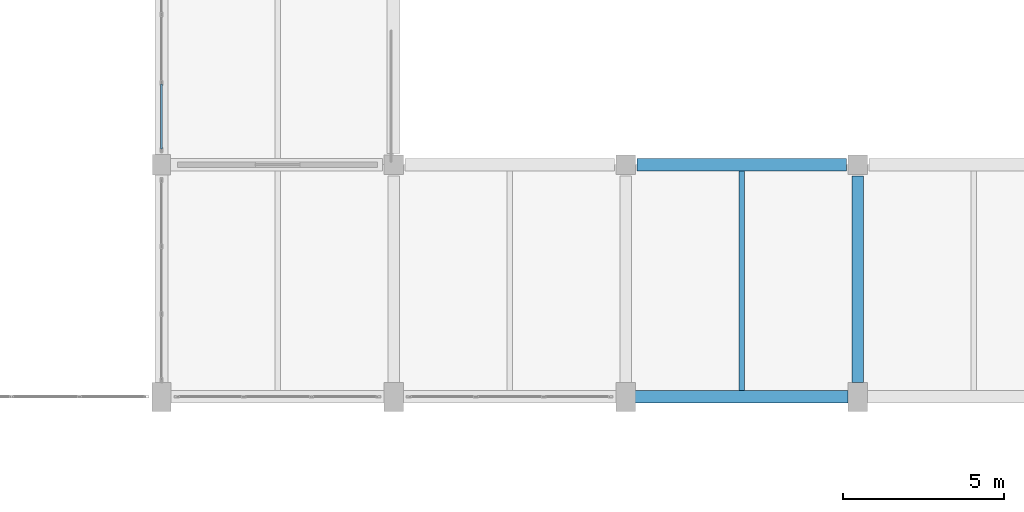
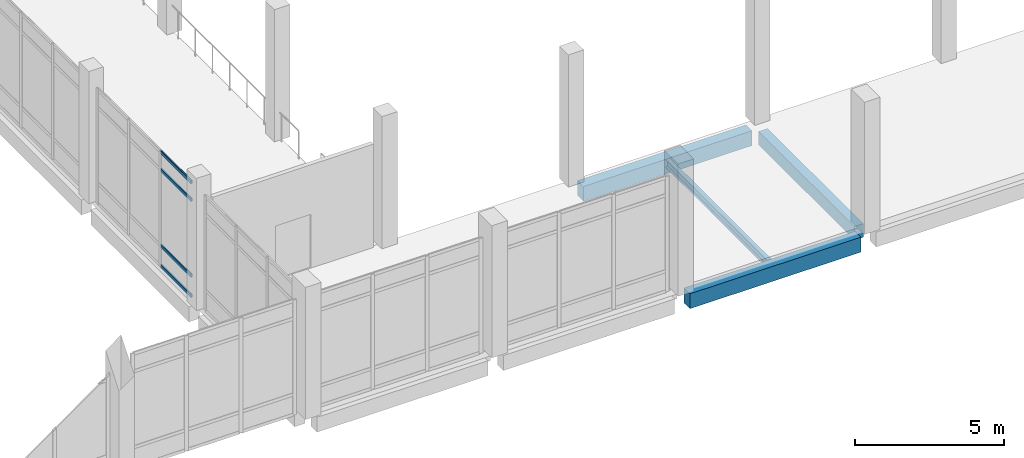
# One storey, part 107 of 180: 4 beams, 4 members, 1 element without a shape of its own.
"""IFC4 building model written with IfcOpenShell, lengths in metres."""

from ifc_helpers import new_model, si_unit, direction, frame, origin, origin_2d, place, context, subcontext, project, spatial, rectangle, hollow_rectangle, i_section, extrude, material, material_profile, profile_set, type_object, element, aggregate, save


model = new_model("IFC4")

# Units and contexts
model_context = context("Model", 3, precision=1e-05, world=origin(), true_north=direction((0.0, 1.0)))
body_context = subcontext(model_context, "Body", "Model", "MODEL_VIEW")
ifc_project = project(units=[si_unit("LENGTHUNIT", "METRE"), si_unit("AREAUNIT", "SQUARE_METRE"), si_unit("VOLUMEUNIT", "CUBIC_METRE"), si_unit("PLANEANGLEUNIT", "RADIAN"), si_unit("MASSUNIT", "GRAM", prefix="KILO")], contexts=[model_context])

# Site, building, storey
site_placement = place(None, origin())
site = spatial("IfcSite", under=ifc_project, at=site_placement, CompositionType="ELEMENT")
building_placement = place(site_placement, origin())
building = spatial("IfcBuilding", under=site, at=building_placement, Name="Lusvemor Sports Hall", CompositionType="ELEMENT")
storey_placement = place(building_placement, frame((0.0, 0.0, 5.39990234375)))
storey = spatial("IfcBuildingStorey", under=building, at=storey_placement, Name="L01", CompositionType="ELEMENT", Elevation=5.39990234375)

# Beam
ifc_material_1 = material(Name="Concrete C40/50", Category="concrete")
ifc_material_profile_1 = material_profile(ifc_material_1, rectangle(XDim=0.35009765625, YDim=0.550048828125, at=origin_2d()), Name="RC350x550")
ifc_profile_set_1 = profile_set([ifc_material_profile_1], Name="Concrete C40/50")
beam_type_1 = type_object("IfcBeamType", Name="BEAM_RC_550", PredefinedType="BEAM", material=ifc_profile_set_1)
beam_1_placement = place(storey_placement, frame((154.800048828125, 40.0458984375, -0.534912109375), z_axis=(0.0, 1.0, 0.0), x_axis=(-1.0, 0.0, 0.0)))
element("IfcBeam", 1, at=beam_1_placement, inside=storey, type_object=beam_type_1, Name="Beam L01 18:E-F", PredefinedType="BEAM", context=body_context, shape_type="SweptSolid", body=[
    extrude(rectangle(XDim=0.35009765625, YDim=0.550048828125, at=origin_2d()), origin(), (0.0, 0.0, 1.0), 6.408203125),
])

# Curtain wall, members
ifc_material_2 = material(Name="Thermally broken bronze-anodized aluminium", Category="aluminium")
curtain_wall_type = type_object("IfcCurtainWallType", Name="CW_CLIMB_D", PredefinedType="NOTDEFINED", material=ifc_material_2)
curtain_wall_placement = place(storey_placement, origin())
curtain_wall = element("IfcCurtainWall", 2, at=curtain_wall_placement, inside=storey, type_object=curtain_wall_type, Name="Curtain Wall CW-V3W-L01-0", PredefinedType="NOTDEFINED")
ifc_material_3 = material(Name="Thermally broken bronze-anodized aluminium", Category="aluminium")
ifc_material_profile_2 = material_profile(ifc_material_3, hollow_rectangle(XDim=0.06005859375, YDim=0.135009765625, WallThickness=0.00390625, InnerFilletRadius=0.00390625, OuterFilletRadius=0.008056640625, at=origin_2d()), Name="CWTRN135x60x4")
ifc_profile_set_2 = profile_set([ifc_material_profile_2], Name="Thermally broken bronze-anodized aluminium")
member_type = type_object("IfcMemberType", Name="CW_TRN_B", PredefinedType="USERDEFINED", material=ifc_profile_set_2)
member_1_placement = place(storey_placement, frame((133.199951171875, 47.284912109375, 0.030029296875), z_axis=(0.0, 1.0, 0.0), x_axis=(-1.0, 0.0, 0.0)))
member_1 = element("IfcMember", 3, at=member_1_placement, type_object=member_type, Name="CW04 transom 1.1", ObjectType="TRANSOM", PredefinedType="USERDEFINED", context=body_context, shape_type="SweptSolid", body=[
    extrude(hollow_rectangle(XDim=0.06005859375, YDim=0.135009765625, WallThickness=0.00390625, InnerFilletRadius=0.00390625, OuterFilletRadius=0.008056640625, at=origin_2d()), origin(), (0.0, 0.0, 1.0), 2.022705078125),
])
member_2_placement = place(storey_placement, frame((133.199951171875, 47.284912109375, 0.85009765625), z_axis=(0.0, 1.0, 0.0), x_axis=(-1.0, 0.0, 0.0)))
member_2 = element("IfcMember", 4, at=member_2_placement, type_object=member_type, Name="CW04 transom 1.2", ObjectType="TRANSOM", PredefinedType="USERDEFINED", context=body_context, shape_type="SweptSolid", body=[
    extrude(hollow_rectangle(XDim=0.06005859375, YDim=0.135009765625, WallThickness=0.00390625, InnerFilletRadius=0.00390625, OuterFilletRadius=0.008056640625, at=origin_2d()), origin(), (0.0, 0.0, 1.0), 2.022705078125),
])
member_3_placement = place(storey_placement, frame((133.199951171875, 47.284912109375, 3.9501953125), z_axis=(0.0, 1.0, 0.0), x_axis=(-1.0, 0.0, 0.0)))
member_3 = element("IfcMember", 5, at=member_3_placement, type_object=member_type, Name="CW04 transom 1.3", ObjectType="TRANSOM", PredefinedType="USERDEFINED", context=body_context, shape_type="SweptSolid", body=[
    extrude(hollow_rectangle(XDim=0.06005859375, YDim=0.135009765625, WallThickness=0.00390625, InnerFilletRadius=0.00390625, OuterFilletRadius=0.008056640625, at=origin_2d()), origin(), (0.0, 0.0, 1.0), 2.022705078125),
])
member_4_placement = place(storey_placement, frame((133.199951171875, 47.284912109375, 4.670166015625), z_axis=(0.0, 1.0, 0.0), x_axis=(-1.0, 0.0, 0.0)))
member_4 = element("IfcMember", 6, at=member_4_placement, type_object=member_type, Name="CW04 transom 1.4", ObjectType="TRANSOM", PredefinedType="USERDEFINED", context=body_context, shape_type="SweptSolid", body=[
    extrude(hollow_rectangle(XDim=0.06005859375, YDim=0.135009765625, WallThickness=0.00390625, InnerFilletRadius=0.00390625, OuterFilletRadius=0.008056640625, at=origin_2d()), origin(), (0.0, 0.0, 1.0), 2.022705078125),
])
aggregate(curtain_wall, [member_1, member_2, member_3, member_4])

# Beams
ifc_material_4 = material(Name="Steel S355", Category="steel")
ifc_material_profile_3 = material_profile(ifc_material_4, i_section(OverallWidth=0.1669921875, OverallDepth=0.31689453125, WebThickness=0.007568359375, FlangeThickness=0.01318359375, FilletRadius=0.014892578125, at=origin_2d()), Name="W310x52.0")
ifc_profile_set_3 = profile_set([ifc_material_profile_3], Name="Steel S355")
beam_type_2 = type_object("IfcBeamType", Name="JOIST_ST_310M", PredefinedType="JOIST", material=ifc_profile_set_3)
beam_2_placement = place(storey_placement, frame((151.199951171875, 39.7958984375, -0.42236328125), z_axis=(0.0, 1.0, 0.0), x_axis=(-1.0, 0.0, 0.0)))
element("IfcBeam", 7, at=beam_2_placement, inside=storey, type_object=beam_type_2, Name="Secondary Joist L01 17-18/E-F #1", PredefinedType="JOIST", context=body_context, shape_type="SweptSolid", body=[
    extrude(i_section(OverallWidth=0.1669921875, OverallDepth=0.31689453125, WebThickness=0.007568359375, FlangeThickness=0.01318359375, FilletRadius=0.014892578125, at=origin_2d()), origin(), (0.0, 0.0, 1.0), 6.80810546875),
])
ifc_material_5 = material(Name="Concrete C40/50", Category="concrete")
ifc_material_profile_4 = material_profile(ifc_material_5, rectangle(XDim=0.39990234375, YDim=0.610107421875, at=origin_2d()), Name="RC400x610")
ifc_profile_set_4 = profile_set([ifc_material_profile_4], Name="Concrete C40/50")
beam_type_3 = type_object("IfcBeamType", Name="SPAND_EXT_650", PredefinedType="SPANDREL", material=ifc_profile_set_4)
beam_3_placement = place(storey_placement, frame((147.89599609375, 39.60009765625, -0.56494140625), z_axis=(1.0, 0.0, 0.0), x_axis=(0.0, 1.0, 0.0)))
element("IfcBeam", 8, at=beam_3_placement, inside=storey, type_object=beam_type_3, Name="Beam L01 E:17-18", PredefinedType="SPANDREL", context=body_context, shape_type="SweptSolid", body=[
    extrude(rectangle(XDim=0.39990234375, YDim=0.610107421875, at=origin_2d()), origin(), (0.0, 0.0, 1.0), 6.60791015625),
])
beam_4_placement = place(storey_placement, frame((147.946044921875, 46.800048828125, -0.56494140625), z_axis=(1.0, 0.0, 0.0), x_axis=(0.0, 1.0, 0.0)))
element("IfcBeam", 9, at=beam_4_placement, inside=storey, type_object=beam_type_3, Name="Beam L01 F:17-18", PredefinedType="SPANDREL", context=body_context, shape_type="SweptSolid", body=[
    extrude(rectangle(XDim=0.39990234375, YDim=0.610107421875, at=origin_2d()), origin(), (0.0, 0.0, 1.0), 6.508056640625),
])

save(model, "model.ifc")
